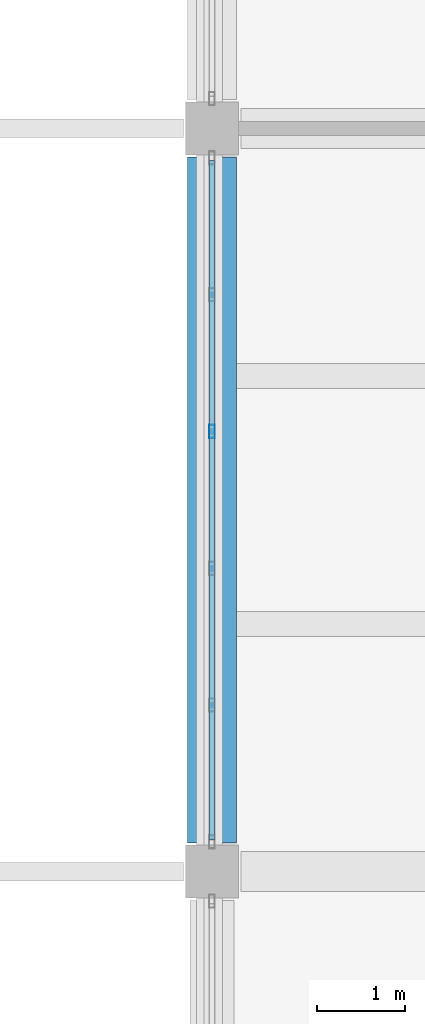
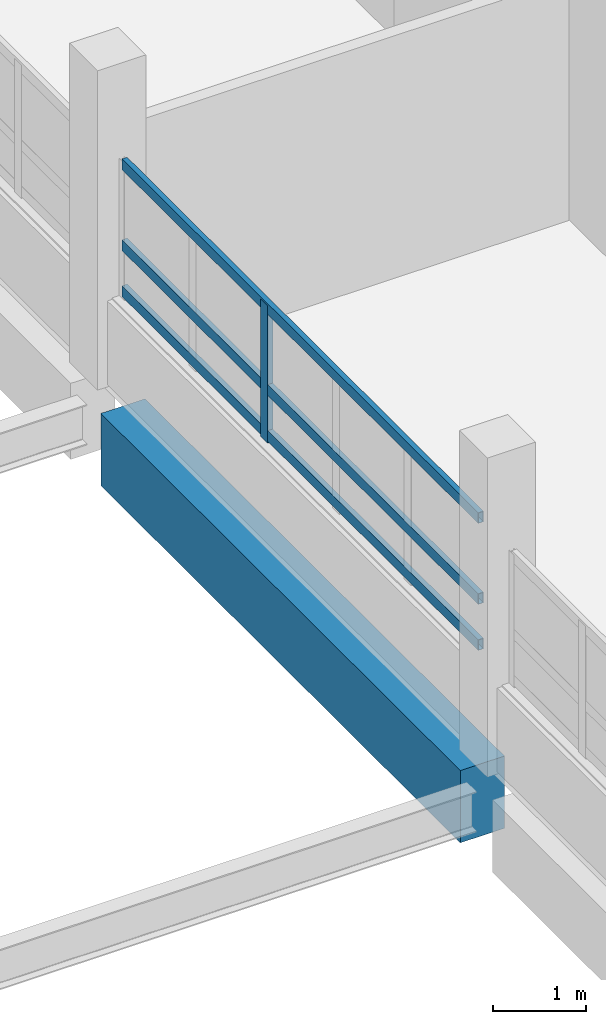
# One storey, part 27 of 130: 4 members, 1 beam, 1 element without a shape of its own.
"""IFC4 building model written with IfcOpenShell, lengths in metres."""

import ifcopenshell
import ifcopenshell.guid

model = None  # the IFC model being written
_history = None  # IfcOwnerHistory: only IFC2X3 demands one
_inside = {}  # id of a spatial element -> (the spatial element, [elements in it])
_under = {}  # id of a project, library or spatial element -> (it, [spatial elements below it])
_declared = {}  # id of a project -> (the project, [libraries it declares])
_typed = {}  # id of a type object -> (the type object, [elements of that type])
_made_of = {}  # id of a material, layer set ... -> (it, [elements and type objects made of it])


def new_model(schema):
    """Start an empty IFC model of exactly this schema.

    Asked for "IFC4X3", IfcOpenShell would pick the latest addendum, in which some entities
    have other attributes; the version numbers below select the first issue.
    IFC2X3 requires an IfcOwnerHistory on every rooted entity: one is made here for all.
    """
    global model, _history
    if schema == "IFC4X3":
        model = ifcopenshell.file(schema_version=(4, 3, 0, 0))
    else:
        model = ifcopenshell.file(schema=schema)
    _inside.clear()
    _under.clear()
    _declared.clear()
    _typed.clear()
    _made_of.clear()
    _history = None
    if model.schema == "IFC2X3":
        org = make("IfcOrganization", Name="unknown")
        user = make(
            "IfcPersonAndOrganization",
            ThePerson=make("IfcPerson", FamilyName="unknown"),
            TheOrganization=org,
        )
        app = make(
            "IfcApplication",
            ApplicationDeveloper=org,
            Version="unknown",
            ApplicationFullName="unknown",
            ApplicationIdentifier="unknown",
        )
        _history = make(
            "IfcOwnerHistory",
            OwningUser=user,
            OwningApplication=app,
            ChangeAction="ADDED",
            CreationDate=0,
        )
    return model


def make(cls, **values):
    """One entity of the class cls with the attributes given. An attribute that is None is left unset."""
    return model.create_entity(
        cls, **{name: value for name, value in values.items() if value is not None}
    )


def rooted(cls, **values):
    """An entity with a GlobalId (a new one), such as an element, a storey or a relation."""
    return make(cls, GlobalId=ifcopenshell.guid.new(), OwnerHistory=_history, **values)


def si_unit(unit_type, name, prefix=None):
    """IfcSIUnit, for example si_unit("LENGTHUNIT", "METRE", prefix="MILLI")."""
    return make("IfcSIUnit", UnitType=unit_type, Prefix=prefix, Name=name)


def assignment(units):
    """IfcUnitAssignment: the units of a project."""
    return None if units is None else make("IfcUnitAssignment", Units=units)


def point(xyz):
    """IfcCartesianPoint."""
    return None if xyz is None else make("IfcCartesianPoint", Coordinates=xyz)


def direction(xyz):
    """IfcDirection."""
    return None if xyz is None else make("IfcDirection", DirectionRatios=xyz)


def frame(location, z_axis=None, x_axis=None):
    """IfcAxis2Placement3D, a coordinate frame: its origin and axes. An axis left out is left unset."""
    return make(
        "IfcAxis2Placement3D",
        Location=point(location),
        Axis=direction(z_axis),
        RefDirection=direction(x_axis),
    )


def frame_2d(location, x_axis=None):
    """IfcAxis2Placement2D, a coordinate frame in the plane: its origin and x axis."""
    return make(
        "IfcAxis2Placement2D", Location=point(location), RefDirection=direction(x_axis)
    )


def origin():
    """The frame at (0, 0, 0) with its axes left unset."""
    return frame((0.0, 0.0, 0.0))


def origin_2d():
    """The frame at (0, 0) in the plane with its x axis left unset."""
    return frame_2d((0.0, 0.0))


def place(relative_to, where):
    """IfcLocalPlacement: puts the frame where relative to a parent placement (None: the world)."""
    return make(
        "IfcLocalPlacement", PlacementRelTo=relative_to, RelativePlacement=where
    )


def context(
    kind, dimensions, precision=None, world=None, true_north=None, identifier=None
):
    """IfcGeometricRepresentationContext, for example the 3D "Model" context."""
    return make(
        "IfcGeometricRepresentationContext",
        ContextIdentifier=identifier,
        ContextType=kind,
        CoordinateSpaceDimension=dimensions,
        Precision=precision,
        WorldCoordinateSystem=world,
        TrueNorth=true_north,
    )


def subcontext(parent, identifier, kind, view, scale=None):
    """IfcGeometricRepresentationSubContext, for example "Body" below "Model"."""
    return make(
        "IfcGeometricRepresentationSubContext",
        ContextIdentifier=identifier,
        ContextType=kind,
        ParentContext=parent,
        TargetScale=scale,
        TargetView=view,
    )


def project(units=None, contexts=None):
    """IfcProject with its units and contexts."""
    return rooted(
        "IfcProject",
        Name="project",
        RepresentationContexts=contexts,
        UnitsInContext=assignment(units),
    )


def spatial(cls, under=None, at=None, **own):
    """A site, building, storey or space (cls), placed at a placement, below another one or the project."""
    s = rooted(cls, ObjectPlacement=at, **own)
    if under is not None:
        _under.setdefault(under.id(), (under, []))[1].append(s)
    return s


def profile(cls, at=None, kind="AREA", **sizes):
    """A parametric profile (cls). Its sizes go by their IFC names, for example OverallWidth=200.0."""
    return make(cls, ProfileType=kind, Position=at, **sizes)


def rectangle(**sizes):
    """IfcRectangleProfileDef."""
    return profile("IfcRectangleProfileDef", **sizes)


def hollow_rectangle(**sizes):
    """IfcRectangleHollowProfileDef."""
    return profile("IfcRectangleHollowProfileDef", **sizes)


def extrude(swept, where, along, depth):
    """IfcExtrudedAreaSolid: the profile swept, set in the frame where, extruded along a direction by depth."""
    return make(
        "IfcExtrudedAreaSolid",
        SweptArea=swept,
        Position=where,
        ExtrudedDirection=direction(along),
        Depth=depth,
    )


def shape(context_of_items, identifier, shape_type, items):
    """IfcShapeRepresentation: the items that make up one representation, for example the "Body"."""
    return make(
        "IfcShapeRepresentation",
        ContextOfItems=context_of_items,
        RepresentationIdentifier=identifier,
        RepresentationType=shape_type,
        Items=items,
    )


def material(Name=None, Category=None):
    """IfcMaterial."""
    return make("IfcMaterial", Name=Name, Category=Category)


def layer(
    of_material, thickness, ventilated=None, Name=None, Category=None, Priority=None
):
    """IfcMaterialLayer: one layer of a wall or slab, of a material (None: an air gap)."""
    return make(
        "IfcMaterialLayer",
        Material=of_material,
        LayerThickness=thickness,
        IsVentilated=ventilated,
        Name=Name,
        Category=Category,
        Priority=Priority,
    )


def layer_set(layers, Name=None):
    """IfcMaterialLayerSet."""
    return make("IfcMaterialLayerSet", MaterialLayers=layers, LayerSetName=Name)


def material_profile(
    of_material, cross_section, Name=None, Category=None, Priority=None
):
    """IfcMaterialProfile: a cross section and its material."""
    return make(
        "IfcMaterialProfile",
        Name=Name,
        Material=of_material,
        Profile=cross_section,
        Priority=Priority,
        Category=Category,
    )


def profile_set(profiles, Name=None, composite=None):
    """IfcMaterialProfileSet."""
    return make(
        "IfcMaterialProfileSet",
        Name=Name,
        MaterialProfiles=profiles,
        CompositeProfile=composite,
    )


def made_of(thing, what):
    """Note that an element or type object is made of a material, layer set ...; save() writes the relation."""
    if what is not None:
        _made_of.setdefault(what.id(), (what, []))[1].append(thing)
    return thing


def type_object(cls, material=None, **own):
    """A type object (cls), such as IfcWallType, which elements share."""
    return made_of(rooted(cls, **own), material)


def element(
    cls,
    number,
    at=None,
    inside=None,
    cuts=None,
    type_object=None,
    material=None,
    context=None,
    identifier="Body",
    shape_type=None,
    held_by="IfcProductDefinitionShape",
    body=None,
    shapes=None,
    **own,
):
    """One element of the class cls, such as IfcWall. Its Tag is "e" and its number.

    at: its placement. inside: the storey or other place that contains it. cuts: it is an
    opening in that element (IfcRelVoidsElement). A single representation is given by context,
    identifier, shape_type and body (its items); several are given by shapes. held_by: the class
    of the entity that holds the representations. save() writes the other relations.
    """
    e = rooted(cls, Tag="e%d" % number, ObjectPlacement=at, **own)
    if body is not None:
        shapes = [shape(context, identifier, shape_type, body)]
    if shapes is not None:
        e.Representation = make(held_by, Representations=shapes)
    if inside is not None:
        _inside.setdefault(inside.id(), (inside, []))[1].append(e)
    if cuts is not None:
        rooted(
            "IfcRelVoidsElement", RelatingBuildingElement=cuts, RelatedOpeningElement=e
        )
    if type_object is not None:
        _typed.setdefault(type_object.id(), (type_object, []))[1].append(e)
    return made_of(e, material)


def aggregate(whole, parts):
    """IfcRelAggregates: a whole, such as a stair, and the parts it consists of."""
    return rooted("IfcRelAggregates", RelatingObject=whole, RelatedObjects=parts)


def save(model, path):
    """Write the relations noted so far, then the file.

    IfcRelAggregates (storeys below a building ...), IfcRelContainedInSpatialStructure (elements
    in a storey), IfcRelDefinesByType, IfcRelAssociatesMaterial and IfcRelDeclares: one each for
    every whole, place, type object, material and project.
    """
    for whole, parts in _under.values():
        aggregate(whole, parts)
    for where, things in _inside.values():
        rooted(
            "IfcRelContainedInSpatialStructure",
            RelatedElements=things,
            RelatingStructure=where,
        )
    for kind, things in _typed.values():
        rooted("IfcRelDefinesByType", RelatedObjects=things, RelatingType=kind)
    for what, things in _made_of.values():
        rooted("IfcRelAssociatesMaterial", RelatedObjects=things, RelatingMaterial=what)
    for by, libraries in _declared.values():
        rooted("IfcRelDeclares", RelatingContext=by, RelatedDefinitions=libraries)
    model.write(path)


model = new_model("IFC4")

# Units and contexts
model_context = context("Model", 3, precision=1e-05, world=origin(), true_north=direction((0.0, 1.0)))
body_context = subcontext(model_context, "Body", "Model", "MODEL_VIEW")
ifc_project = project(units=[si_unit("LENGTHUNIT", "METRE"), si_unit("AREAUNIT", "SQUARE_METRE"), si_unit("VOLUMEUNIT", "CUBIC_METRE"), si_unit("PLANEANGLEUNIT", "RADIAN"), si_unit("MASSUNIT", "GRAM", prefix="KILO")], contexts=[model_context])

# Site, building, storey
site_placement = place(None, origin())
site = spatial("IfcSite", under=ifc_project, at=site_placement, CompositionType="ELEMENT")
building_placement = place(site_placement, origin())
building = spatial("IfcBuilding", under=site, at=building_placement, Name="Vireocrest Preparatory School", CompositionType="ELEMENT")
storey_placement = place(building_placement, frame((0.0, 0.0, 9.0)))
storey = spatial("IfcBuildingStorey", under=building, at=storey_placement, Name="L02", CompositionType="ELEMENT", Elevation=9.0)

# Curtain wall, members
ifc_material_1 = material(Name="Thermally broken aluminium EN AW-6063-T6", Category="aluminium")
ifc_layer = layer(ifc_material_1, 0.179931640625)
ifc_layer_set = layer_set([ifc_layer], Name="Thermally broken aluminium EN AW-6063-T6")
curtain_wall_type = type_object("IfcCurtainWallType", Name="Court Banded Curtain Wall 8400x3000", PredefinedType="USERDEFINED", material=ifc_layer_set)
curtain_wall_placement = place(storey_placement, origin())
curtain_wall = element("IfcCurtainWall", 1, at=curtain_wall_placement, inside=storey, type_object=curtain_wall_type, Name="Curtain Wall CW02 CW_L02_CW02_0924_0357_102", ObjectType="CURTAIN WALL", PredefinedType="USERDEFINED")
ifc_material_profile_1 = material_profile(ifc_material_1, hollow_rectangle(XDim=0.06494140625, YDim=0.14990234375, WallThickness=0.00390625, at=origin_2d()), Name="ALU 65x150x4")
ifc_profile_set_1 = profile_set([ifc_material_profile_1], Name="Thermally broken aluminium EN AW-6063-T6")
member_type_1 = type_object("IfcMemberType", Name="CW Mullion 65x150x4", PredefinedType="MULLION", material=ifc_profile_set_1)
member_1_placement = place(storey_placement, frame((92.39990234375, 40.373046875, 1.14990234375), z_axis=(0.0, 0.0, 1.0), x_axis=(1.0, 0.0, 0.0)))
member_1 = element("IfcMember", 2, at=member_1_placement, type_object=member_type_1, Name="CW Mullion ML1 CW_L02_CW02_0924_0357_102-4", PredefinedType="MULLION", context=body_context, shape_type="SweptSolid", body=[
    extrude(hollow_rectangle(XDim=0.06494140625, YDim=0.14990234375, WallThickness=0.00390625, at=origin_2d()), origin(), (0.0, 0.0, 1.0), 1.80517578125),
])
ifc_material_profile_2 = material_profile(ifc_material_1, hollow_rectangle(XDim=0.06494140625, YDim=0.139892578125, WallThickness=0.00390625, at=origin_2d()), Name="ALU 65x140x4")
ifc_profile_set_2 = profile_set([ifc_material_profile_2], Name="Thermally broken aluminium EN AW-6063-T6")
member_type_2 = type_object("IfcMemberType", Name="CW Transom 65x140x4", PredefinedType="USERDEFINED", material=ifc_profile_set_2)
member_2_placement = place(storey_placement, frame((92.39990234375, 35.760009765625, 1.2451171875), z_axis=(0.0, 1.0, 0.0), x_axis=(-1.0, 0.0, 0.0)))
member_2 = element("IfcMember", 3, at=member_2_placement, type_object=member_type_2, Name="CW Transom TR1 CW_L02_CW02_0924_0357_102-1", ObjectType="TRANSOM", PredefinedType="USERDEFINED", context=body_context, shape_type="SweptSolid", body=[
    extrude(hollow_rectangle(XDim=0.06494140625, YDim=0.139892578125, WallThickness=0.00390625, at=origin_2d()), origin(), (0.0, 0.0, 1.0), 7.679931640625),
])
member_3_placement = place(storey_placement, frame((92.39990234375, 35.760009765625, 1.85009765625), z_axis=(0.0, 1.0, 0.0), x_axis=(-1.0, 0.0, 0.0)))
member_3 = element("IfcMember", 4, at=member_3_placement, type_object=member_type_2, Name="CW Transom TR1 CW_L02_CW02_0924_0357_102-2", ObjectType="TRANSOM", PredefinedType="USERDEFINED", context=body_context, shape_type="SweptSolid", body=[
    extrude(hollow_rectangle(XDim=0.06494140625, YDim=0.139892578125, WallThickness=0.00390625, at=origin_2d()), origin(), (0.0, 0.0, 1.0), 7.679931640625),
])
member_4_placement = place(storey_placement, frame((92.39990234375, 35.760009765625, 2.9150390625), z_axis=(0.0, 1.0, 0.0), x_axis=(-1.0, 0.0, 0.0)))
member_4 = element("IfcMember", 5, at=member_4_placement, type_object=member_type_2, Name="CW Transom TR1 CW_L02_CW02_0924_0357_102-3", ObjectType="TRANSOM", PredefinedType="USERDEFINED", context=body_context, shape_type="SweptSolid", body=[
    extrude(hollow_rectangle(XDim=0.06494140625, YDim=0.139892578125, WallThickness=0.00390625, at=origin_2d()), origin(), (0.0, 0.0, 1.0), 7.679931640625),
])
aggregate(curtain_wall, [member_1, member_2, member_3, member_4])

# Beam
ifc_material_2 = material(Name="Concrete 40 MPa", Category="concrete")
ifc_material_profile_3 = material_profile(ifc_material_2, rectangle(XDim=0.550048828125, YDim=0.949951171875, at=origin_2d()), Name="RC 550x950")
ifc_profile_set_3 = profile_set([ifc_material_profile_3], Name="Concrete 40 MPa")
beam_type = type_object("IfcBeamType", Name="RC Setback Edge Girder 550x950", PredefinedType="BEAM", material=ifc_profile_set_3)
beam_placement = place(storey_placement, frame((92.39990234375, 35.72509765625, -0.77490234375), z_axis=(0.0, 1.0, 0.0), x_axis=(-1.0, 0.0, 0.0)))
element("IfcBeam", 6, at=beam_placement, inside=storey, type_object=beam_type, Name="Primary Girder B17 L02-0838", PredefinedType="BEAM", context=body_context, shape_type="SweptSolid", body=[
    extrude(rectangle(XDim=0.550048828125, YDim=0.949951171875, at=origin_2d()), origin(), (0.0, 0.0, 1.0), 7.75),
])

save(model, "model.ifc")
